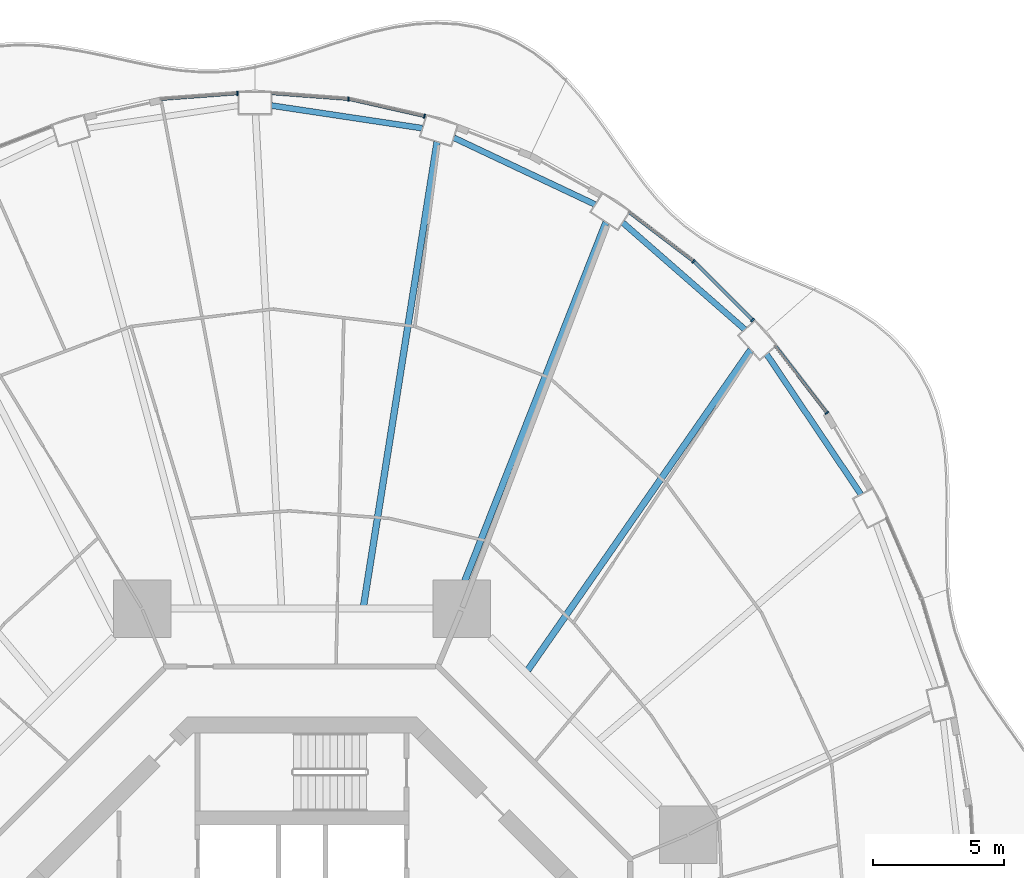
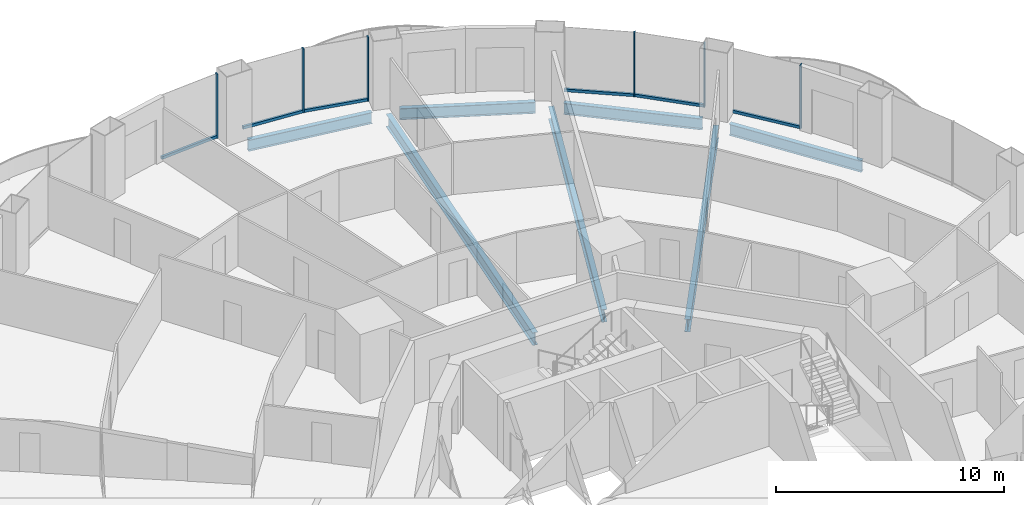
# One storey, part 11 of 22: 12 members, 7 beams, 6 elements without a shape of their own.
"""IFC4 building model written with IfcOpenShell, lengths in metres."""

from ifc_helpers import new_model, si_unit, direction, frame, origin, origin_2d, place, context, subcontext, project, spatial, rectangle, i_section, extrude, material, layer, layer_set, material_profile, profile_set, type_object, element, aggregate, save


model = new_model("IFC4")

# Units and contexts
model_context = context("Model", 3, precision=1e-05, world=origin(), true_north=direction((0.0, 1.0)))
body_context = subcontext(model_context, "Body", "Model", "MODEL_VIEW")
ifc_project = project(units=[si_unit("LENGTHUNIT", "METRE"), si_unit("AREAUNIT", "SQUARE_METRE"), si_unit("VOLUMEUNIT", "CUBIC_METRE"), si_unit("PLANEANGLEUNIT", "RADIAN"), si_unit("MASSUNIT", "GRAM", prefix="KILO")], contexts=[model_context])

# Site, building, storey
site_placement = place(None, origin())
site = spatial("IfcSite", under=ifc_project, at=site_placement, CompositionType="ELEMENT")
building_placement = place(site_placement, origin())
building = spatial("IfcBuilding", under=site, at=building_placement, Name="Nagisa Residences", CompositionType="ELEMENT")
storey_placement = place(building_placement, frame((0.0, 0.0, 91.800048828125)))
storey = spatial("IfcBuildingStorey", under=building, at=storey_placement, Name="L22", CompositionType="ELEMENT", Elevation=91.800048828125)

# Curtain wall, member
ifc_material_1 = material(Name="Concrete-coloured aluminium curtain wall system", Category="concrete")
ifc_layer = layer(ifc_material_1, 0.159912109375)
ifc_layer_set = layer_set([ifc_layer], Name="CW1 CURTAIN WALL")
curtain_wall_type = type_object("IfcCurtainWallType", Name="CW1 CURTAIN WALL", PredefinedType="NOTDEFINED", material=ifc_layer_set)
curtain_wall_1_placement = place(storey_placement, origin())
curtain_wall_1 = element("IfcCurtainWall", 1, at=curtain_wall_1_placement, inside=storey, type_object=curtain_wall_type, Name="cw:CW1:L22:05", PredefinedType="NOTDEFINED")
ifc_material_2 = material(Name="Concrete-coloured aluminium", Category="concrete")
ifc_material_profile_1 = material_profile(ifc_material_2, rectangle(XDim=0.159912109375, YDim=0.06005859375, at=origin_2d()), Name="CW1 MULLION 160x60")
ifc_profile_set_1 = profile_set([ifc_material_profile_1], Name="Concrete-coloured aluminium")
member_type_1 = type_object("IfcMemberType", Name="CW1 MULLION 160x60", PredefinedType="MULLION", material=ifc_profile_set_1)
member_1_placement = place(storey_placement, frame((20.09033203125, 22.27783203125, 0.0), z_axis=(0.0, 0.0, 1.0), x_axis=(-0.792070340816, -0.610429828235, 0.0)))
member_1 = element("IfcMember", 2, at=member_1_placement, type_object=member_type_1, Name="CW1 mullion", PredefinedType="MULLION", context=body_context, shape_type="SweptSolid", body=[
    extrude(rectangle(XDim=0.159912109375, YDim=0.06005859375, at=origin_2d()), origin(), (0.0, 0.0, 1.0), 3.43994140625),
])

curtain_wall_2_placement = place(storey_placement, origin())
curtain_wall_2 = element("IfcCurtainWall", 3, at=curtain_wall_2_placement, inside=storey, type_object=curtain_wall_type, Name="cw:CW1:L22:06", PredefinedType="NOTDEFINED")
member_2_placement = place(storey_placement, frame((17.24560546875, 25.825927734375, 0.0), z_axis=(0.0, 0.0, 1.0), x_axis=(-0.706376885714, -0.707835924016, 0.0)))
member_2 = element("IfcMember", 4, at=member_2_placement, type_object=member_type_1, Name="CW1 mullion", PredefinedType="MULLION", context=body_context, shape_type="SweptSolid", body=[
    extrude(rectangle(XDim=0.159912109375, YDim=0.06005859375, at=origin_2d()), origin(), (0.0, 0.0, 1.0), 3.43994140625),
])

curtain_wall_3_placement = place(storey_placement, origin())
curtain_wall_3 = element("IfcCurtainWall", 5, at=curtain_wall_3_placement, inside=storey, type_object=curtain_wall_type, Name="cw:CW1:L22:07", PredefinedType="NOTDEFINED")
member_3_placement = place(storey_placement, frame((14.9873046875, 28.07470703125, 0.0), z_axis=(0.0, 0.0, 1.0), x_axis=(-0.605255421737, -0.79603132756, 0.0)))
member_3 = element("IfcMember", 6, at=member_3_placement, type_object=member_type_1, Name="CW1 mullion", PredefinedType="MULLION", context=body_context, shape_type="SweptSolid", body=[
    extrude(rectangle(XDim=0.159912109375, YDim=0.06005859375, at=origin_2d()), origin(), (0.0, 0.0, 1.0), 3.43994140625),
])

curtain_wall_4_placement = place(storey_placement, origin())
curtain_wall_4 = element("IfcCurtainWall", 7, at=curtain_wall_4_placement, inside=storey, type_object=curtain_wall_type, Name="cw:CW1:L22:10", PredefinedType="NOTDEFINED")
member_4_placement = place(storey_placement, frame((4.68701171875, 33.630859375, 0.0), z_axis=(0.0, 0.0, 1.0), x_axis=(-0.2207639201, -0.975327274089, 0.0)))
member_4 = element("IfcMember", 8, at=member_4_placement, type_object=member_type_1, Name="CW1 mullion", PredefinedType="MULLION", context=body_context, shape_type="SweptSolid", body=[
    extrude(rectangle(XDim=0.159912109375, YDim=0.06005859375, at=origin_2d()), origin(), (0.0, 0.0, 1.0), 3.43994140625),
])

curtain_wall_5_placement = place(storey_placement, origin())
curtain_wall_5 = element("IfcCurtainWall", 9, at=curtain_wall_5_placement, inside=storey, type_object=curtain_wall_type, Name="cw:CW1:L22:11", PredefinedType="NOTDEFINED")
member_5_placement = place(storey_placement, frame((1.779052734375, 34.28564453125, 0.0), z_axis=(0.0, 0.0, 1.0), x_axis=(-0.074377355493, -0.997230168512, 0.0)))
member_5 = element("IfcMember", 10, at=member_5_placement, type_object=member_type_1, Name="CW1 mullion", PredefinedType="MULLION", context=body_context, shape_type="SweptSolid", body=[
    extrude(rectangle(XDim=0.159912109375, YDim=0.06005859375, at=origin_2d()), origin(), (0.0, 0.0, 1.0), 3.43994140625),
])

curtain_wall_6_placement = place(storey_placement, origin())
curtain_wall_6 = element("IfcCurtainWall", 11, at=curtain_wall_6_placement, inside=storey, type_object=curtain_wall_type, Name="cw:CW1:L22:12", PredefinedType="NOTDEFINED")
member_6_placement = place(storey_placement, frame((-2.47216796875, 34.50244140625, 0.0), z_axis=(0.0, 0.0, 1.0), x_axis=(0.074377355493, -0.997230168512, 0.0)))
member_6 = element("IfcMember", 12, at=member_6_placement, type_object=member_type_1, Name="CW1 mullion", PredefinedType="MULLION", context=body_context, shape_type="SweptSolid", body=[
    extrude(rectangle(XDim=0.159912109375, YDim=0.06005859375, at=origin_2d()), origin(), (0.0, 0.0, 1.0), 3.43994140625),
])

# Member
ifc_material_3 = material(Name="Concrete-coloured aluminium", Category="concrete")
ifc_material_profile_2 = material_profile(ifc_material_3, rectangle(XDim=0.1201171875, YDim=0.14990234375, at=origin_2d()), Name="CW1 TRANSOM 120x150")
ifc_profile_set_2 = profile_set([ifc_material_profile_2], Name="Concrete-coloured aluminium")
member_type_2 = type_object("IfcMemberType", Name="CW1 TRANSOM 120x150", PredefinedType="USERDEFINED", material=ifc_profile_set_2)
member_7_placement = place(storey_placement, frame((20.108642578125, 22.25390625, 0.074951171875), z_axis=(-0.610458970322, 0.792047880847, 0.0), x_axis=(-0.792047880847, -0.610458970322, 0.0)))
member_7 = element("IfcMember", 13, at=member_7_placement, type_object=member_type_2, Name="CW1 transom", ObjectType="TRANSOM", PredefinedType="USERDEFINED", context=body_context, shape_type="SweptSolid", body=[
    extrude(rectangle(XDim=0.1201171875, YDim=0.14990234375, at=origin_2d()), origin(), (0.0, 0.0, 1.0), 3.262939453125),
])

aggregate(curtain_wall_1, [member_1, member_7])

member_8_placement = place(storey_placement, frame((17.2666015625, 25.8046875, 0.074951171875), z_axis=(-0.707831724839, 0.70638109354, 0.0), x_axis=(-0.70638109354, -0.707831724839, 0.0)))
member_8 = element("IfcMember", 14, at=member_8_placement, type_object=member_type_2, Name="CW1 transom", ObjectType="TRANSOM", PredefinedType="USERDEFINED", context=body_context, shape_type="SweptSolid", body=[
    extrude(rectangle(XDim=0.1201171875, YDim=0.14990234375, at=origin_2d()), origin(), (0.0, 0.0, 1.0), 3.19775390625),
])

aggregate(curtain_wall_2, [member_2, member_8])

member_9_placement = place(storey_placement, frame((15.01123046875, 28.056640625, 0.074951171875), z_axis=(-0.796037575978, 0.605247203736, 0.0), x_axis=(-0.605247203736, -0.796037575978, 0.0)))
member_9 = element("IfcMember", 15, at=member_9_placement, type_object=member_type_2, Name="CW1 transom", ObjectType="TRANSOM", PredefinedType="USERDEFINED", context=body_context, shape_type="SweptSolid", body=[
    extrude(rectangle(XDim=0.1201171875, YDim=0.14990234375, at=origin_2d()), origin(), (0.0, 0.0, 1.0), 3.1337890625),
])

aggregate(curtain_wall_3, [member_3, member_9])

member_10_placement = place(storey_placement, frame((4.71630859375, 33.624267578125, 0.074951171875), z_axis=(-0.975313630467, 0.220824188497, 0.0), x_axis=(-0.220824188497, -0.975313630467, 0.0)))
member_10 = element("IfcMember", 16, at=member_10_placement, type_object=member_type_2, Name="CW1 transom", ObjectType="TRANSOM", PredefinedType="USERDEFINED", context=body_context, shape_type="SweptSolid", body=[
    extrude(rectangle(XDim=0.1201171875, YDim=0.14990234375, at=origin_2d()), origin(), (0.0, 0.0, 1.0), 2.992919921875),
])

aggregate(curtain_wall_4, [member_4, member_10])

member_11_placement = place(storey_placement, frame((1.80908203125, 34.283203125, 0.074951171875), z_axis=(-0.997226174467, 0.074430887117, 0.0), x_axis=(-0.074430887117, -0.997226174467, 0.0)))
member_11 = element("IfcMember", 17, at=member_11_placement, type_object=member_type_2, Name="CW1 transom", ObjectType="TRANSOM", PredefinedType="USERDEFINED", context=body_context, shape_type="SweptSolid", body=[
    extrude(rectangle(XDim=0.1201171875, YDim=0.14990234375, at=origin_2d()), origin(), (0.0, 0.0, 1.0), 2.97509765625),
])

aggregate(curtain_wall_5, [member_5, member_11])

member_12_placement = place(storey_placement, frame((-2.442138671875, 34.504638671875, 0.074951171875), z_axis=(-0.997226174467, -0.074430887117, 0.0), x_axis=(0.074430887117, -0.997226174467, 0.0)))
member_12 = element("IfcMember", 18, at=member_12_placement, type_object=member_type_2, Name="CW1 transom", ObjectType="TRANSOM", PredefinedType="USERDEFINED", context=body_context, shape_type="SweptSolid", body=[
    extrude(rectangle(XDim=0.1201171875, YDim=0.14990234375, at=origin_2d()), origin(), (0.0, 0.0, 1.0), 2.97509765625),
])

aggregate(curtain_wall_6, [member_6, member_12])

# Beams
ifc_material_4 = material(Name="Steel ASTM A572 Gr 50", Category="steel")
ifc_material_profile_3 = material_profile(ifc_material_4, i_section(OverallWidth=0.22802734375, OverallDepth=0.60302734375, WebThickness=0.010498046875, FlangeThickness=0.014892578125, at=origin_2d()), Name="W610x101")
ifc_profile_set_3 = profile_set([ifc_material_profile_3], Name="Steel ASTM A572 Gr 50")
beam_type_1 = type_object("IfcBeamType", Name="Perimeter ring beam W610x101", PredefinedType="BEAM", material=ifc_profile_set_3)
beam_1_placement = place(storey_placement, frame((21.397216796875, 19.152099609375, -0.5615234375), z_axis=(-0.55824704812, 0.829674775599, 0.0), x_axis=(-0.829674775599, -0.55824704812, 0.0)))
element("IfcBeam", 19, at=beam_1_placement, inside=storey, type_object=beam_type_1, Name="beam:L22:pb03", PredefinedType="BEAM", context=body_context, shape_type="SweptSolid", body=[
    extrude(i_section(OverallWidth=0.22802734375, OverallDepth=0.60302734375, WebThickness=0.010498046875, FlangeThickness=0.014892578125, at=origin_2d()), origin(), (0.0, 0.0, 1.0), 6.4716796875),
])
beam_2_placement = place(storey_placement, frame((16.951416015625, 25.46728515625, -0.5615234375), z_axis=(-0.752525569707, 0.658563031863, 0.0), x_axis=(-0.658563031863, -0.752525569707, 0.0)))
element("IfcBeam", 20, at=beam_2_placement, inside=storey, type_object=beam_type_1, Name="beam:L22:pb04", PredefinedType="BEAM", context=body_context, shape_type="SweptSolid", body=[
    extrude(i_section(OverallWidth=0.22802734375, OverallDepth=0.60302734375, WebThickness=0.010498046875, FlangeThickness=0.014892578125, at=origin_2d()), origin(), (0.0, 0.0, 1.0), 6.21240234375),
])
beam_3_placement = place(storey_placement, frame((11.22216796875, 30.249267578125, -0.5615234375), z_axis=(-0.904196975776, 0.427115709144, 0.0), x_axis=(-0.427115709144, -0.904196975776, 0.0)))
element("IfcBeam", 21, at=beam_3_placement, inside=storey, type_object=beam_type_1, Name="beam:L22:pb05", PredefinedType="BEAM", context=body_context, shape_type="SweptSolid", body=[
    extrude(i_section(OverallWidth=0.22802734375, OverallDepth=0.60302734375, WebThickness=0.010498046875, FlangeThickness=0.014892578125, at=origin_2d()), origin(), (0.0, 0.0, 1.0), 5.980712890625),
])
beam_4_placement = place(storey_placement, frame((4.608642578125, 33.17041015625, -0.5615234375), z_axis=(-0.988913048607, 0.148495731568, 0.0), x_axis=(-0.148495731568, -0.988913048607, 0.0)))
element("IfcBeam", 22, at=beam_4_placement, inside=storey, type_object=beam_type_1, Name="beam:L22:pb06", PredefinedType="BEAM", context=body_context, shape_type="SweptSolid", body=[
    extrude(i_section(OverallWidth=0.22802734375, OverallDepth=0.60302734375, WebThickness=0.010498046875, FlangeThickness=0.014892578125, at=origin_2d()), origin(), (0.0, 0.0, 1.0), 5.843017578125),
])
ifc_material_5 = material(Name="Steel ASTM A572 Gr 50", Category="steel")
ifc_material_profile_4 = material_profile(ifc_material_5, i_section(OverallWidth=0.2529296875, OverallDepth=0.677978515625, WebThickness=0.01171875, FlangeThickness=0.016357421875, at=origin_2d()), Name="W690x125")
ifc_profile_set_4 = profile_set([ifc_material_profile_4], Name="Steel ASTM A572 Gr 50")
beam_type_2 = type_object("IfcBeamType", Name="Radial beam W690x125", PredefinedType="BEAM", material=ifc_profile_set_4)
beam_5_placement = place(storey_placement, frame((17.176513671875, 24.6845703125, -0.59912109375), z_axis=(-0.571167903467, -0.820833251062, 0.0), x_axis=(0.820833251062, -0.571167903467, 0.0)))
element("IfcBeam", 23, at=beam_5_placement, inside=storey, type_object=beam_type_2, Name="beam:L22:rb04", PredefinedType="BEAM", context=body_context, shape_type="SweptSolid", body=[
    extrude(i_section(OverallWidth=0.2529296875, OverallDepth=0.677978515625, WebThickness=0.01171875, FlangeThickness=0.016357421875, at=origin_2d()), origin(), (0.0, 0.0, 1.0), 14.93994140625),
])
beam_6_placement = place(storey_placement, frame((11.636474609375, 29.568359375, -0.59912109375), z_axis=(-0.366203217464, -0.930534901828, 0.0), x_axis=(0.930534901828, -0.366203217464, 0.0)))
element("IfcBeam", 24, at=beam_6_placement, inside=storey, type_object=beam_type_2, Name="beam:L22:rb05", PredefinedType="BEAM", context=body_context, shape_type="SweptSolid", body=[
    extrude(i_section(OverallWidth=0.2529296875, OverallDepth=0.677978515625, WebThickness=0.01171875, FlangeThickness=0.016357421875, at=origin_2d()), origin(), (0.0, 0.0, 1.0), 15.767578125),
])
beam_7_placement = place(storey_placement, frame((5.170654296875, 32.64697265625, -0.59912109375), z_axis=(-0.156426410961, -0.987689616202, 0.0), x_axis=(0.987689616202, -0.156426410961, 0.0)))
element("IfcBeam", 25, at=beam_7_placement, inside=storey, type_object=beam_type_2, Name="beam:L22:rb06", PredefinedType="BEAM", context=body_context, shape_type="SweptSolid", body=[
    extrude(i_section(OverallWidth=0.2529296875, OverallDepth=0.677978515625, WebThickness=0.01171875, FlangeThickness=0.016357421875, at=origin_2d()), origin(), (0.0, 0.0, 1.0), 17.973388671875),
])

save(model, "model.ifc")
